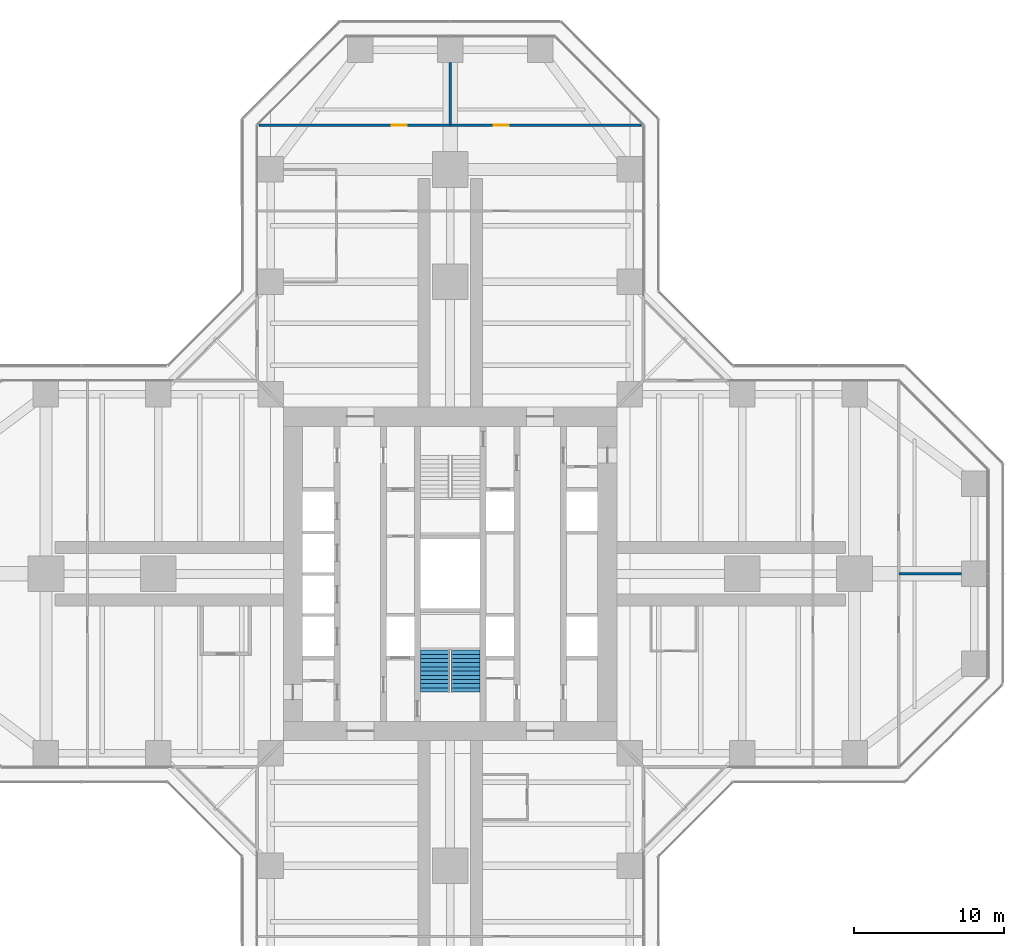
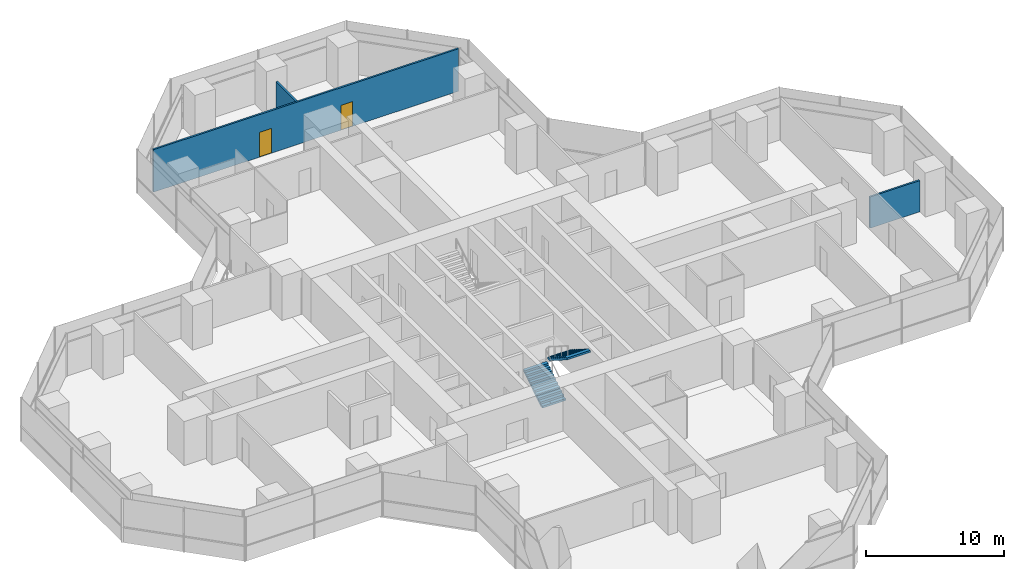
# One storey, part 20 of 22: 3 walls, 2 doors, 2 stair flights, 2 openings, 1 element without a shape of its own.
"""IFC4 building model written with IfcOpenShell, lengths in metres."""

from ifc_helpers import new_model, si_unit, direction, frame, frame_2d, origin, place, context, subcontext, project, spatial, polyline, rectangle, outline, extrude, material, layer, layer_set, type_object, element, fill, aggregate, save


model = new_model("IFC4")

# Units and contexts
model_context = context("Model", 3, precision=1e-05, world=origin(), true_north=direction((0.0, 1.0)))
body_context = subcontext(model_context, "Body", "Model", "MODEL_VIEW")
ifc_project = project(units=[si_unit("LENGTHUNIT", "METRE"), si_unit("AREAUNIT", "SQUARE_METRE"), si_unit("VOLUMEUNIT", "CUBIC_METRE"), si_unit("PLANEANGLEUNIT", "RADIAN"), si_unit("MASSUNIT", "GRAM", prefix="KILO")], contexts=[model_context])

# Site, building, storey
site_placement = place(None, origin())
site = spatial("IfcSite", under=ifc_project, at=site_placement, CompositionType="ELEMENT")
building_placement = place(site_placement, origin())
building = spatial("IfcBuilding", under=site, at=building_placement, Name="Mizan Broadcast Tower", CompositionType="ELEMENT")
storey_placement = place(building_placement, frame((0.0, 0.0, 102.0)))
storey = spatial("IfcBuildingStorey", under=building, at=storey_placement, Name="L22", CompositionType="ELEMENT", Elevation=102.0)

# Wall
ifc_material_1 = material(Name="Gypsum board on steel studs", Category="steel")
ifc_layer = layer(ifc_material_1, 0.14990234375)
ifc_layer_set = layer_set([ifc_layer], Name="Gypsum board on steel studs")
wall_type = type_object("IfcWallType", Name="PARTITION 150", PredefinedType="PARTITIONING", material=ifc_layer_set)
wall_1_placement = place(storey_placement, frame((29.958984375, 0.0, 0.0), z_axis=(0.0, 0.0, 1.0), x_axis=(1.0, 0.0, 0.0)))
element("IfcWall", 1, at=wall_1_placement, inside=storey, type_object=wall_type, Name="Partition PT/EES", PredefinedType="PARTITIONING", context=body_context, shape_type="SweptSolid", body=[
    extrude(rectangle(XDim=4.19091796875, YDim=0.14990234375, at=frame_2d((2.095458984375, 0.0))), origin(), (0.0, 0.0, 1.0), 2.77001953125),
])

# Wall, openings, doors
wall_2_placement = place(storey_placement, frame((12.786376953125, 29.958984375, 0.0), z_axis=(0.0, 0.0, 1.0), x_axis=(-1.0, 0.0, 0.0)))
wall_2 = element("IfcWall", 2, at=wall_2_placement, inside=storey, type_object=wall_type, Name="Partition PT/NX2", PredefinedType="PARTITIONING", context=body_context, shape_type="SweptSolid", body=[
    extrude(rectangle(XDim=25.57275390625, YDim=0.14990234375, at=frame_2d((12.786376953125, 0.0))), origin(), (0.0, 0.0, 1.0), 3.77001953125),
])
opening_1_placement = place(wall_2_placement, frame((15.6865234375, 0.0, 0.0)))
opening_1 = element("IfcOpeningElement", 3, at=opening_1_placement, cuts=wall_2, Name="Opening D10", PredefinedType="OPENING", context=body_context, shape_type="SweptSolid", body=[
    extrude(rectangle(XDim=1.0, YDim=2.199951171875, at=frame_2d((0.5, 1.10009765625))), frame((0.0, 0.0849609375, 0.0), z_axis=(0.0, -1.0, 0.0), x_axis=(1.0, 0.0, 0.0)), (0.0, 0.0, 1.0), 0.169921875),
])
opening_2_placement = place(wall_2_placement, frame((8.886474609375, 0.0, 0.0)))
opening_2 = element("IfcOpeningElement", 4, at=opening_2_placement, cuts=wall_2, Name="Opening D10", PredefinedType="OPENING", context=body_context, shape_type="SweptSolid", body=[
    extrude(rectangle(XDim=1.0, YDim=2.199951171875, at=frame_2d((0.5, 1.10009765625))), frame((0.0, 0.0849609375, 0.0), z_axis=(0.0, -1.0, 0.0), x_axis=(1.0, 0.0, 0.0)), (0.0, 0.0, 1.0), 0.169921875),
])
ifc_material_2 = material(Name="Timber door leaf in aluminium frame", Category="wood")
door_type = type_object("IfcDoorType", Name="ROOM DOOR 1000", OperationType="SINGLE_SWING_LEFT", PredefinedType="DOOR", material=ifc_material_2)
door_1_placement = place(opening_1_placement, origin())
door_1 = element("IfcDoor", 5, at=door_1_placement, inside=storey, type_object=door_type, Name="Open office door", OperationType="SINGLE_SWING_RIGHT", OverallHeight=2.199951171875, OverallWidth=1.0, PredefinedType="DOOR", context=body_context, shape_type="SweptSolid", body=[
    extrude(rectangle(XDim=1.0, YDim=2.199951171875, at=frame_2d((0.5, 1.10009765625))), frame((0.0, 0.02490234375, 0.0), z_axis=(0.0, -1.0, 0.0), x_axis=(1.0, 0.0, 0.0)), (0.0, 0.0, 1.0), 0.050048828125),
])
fill(opening_1, door_1)
door_2_placement = place(opening_2_placement, origin())
door_2 = element("IfcDoor", 6, at=door_2_placement, inside=storey, type_object=door_type, Name="Open office door", OperationType="SINGLE_SWING_LEFT", OverallHeight=2.199951171875, OverallWidth=1.0, PredefinedType="DOOR", context=body_context, shape_type="SweptSolid", body=[
    extrude(rectangle(XDim=1.0, YDim=2.199951171875, at=frame_2d((0.5, 1.10009765625))), frame((0.0, 0.02490234375, 0.0), z_axis=(0.0, -1.0, 0.0), x_axis=(1.0, 0.0, 0.0)), (0.0, 0.0, 1.0), 0.050048828125),
])
fill(opening_2, door_2)

# Wall
wall_3_placement = place(storey_placement, frame((0.0, 29.958984375, 0.0), z_axis=(0.0, 0.0, 1.0), x_axis=(0.0, 1.0, 0.0)))
element("IfcWall", 7, at=wall_3_placement, inside=storey, type_object=wall_type, Name="Partition PT/NES", PredefinedType="PARTITIONING", context=body_context, shape_type="SweptSolid", body=[
    extrude(rectangle(XDim=4.19091796875, YDim=0.14990234375, at=frame_2d((2.095458984375, 0.0))), origin(), (0.0, 0.0, 1.0), 2.77001953125),
])

# Stair, stair flights
ifc_material_3 = material(Name="Concrete C40/50", Category="concrete")
stair_type = type_object("IfcStairType", Name="EXIT STAIR", PredefinedType="HALF_TURN_STAIR", material=ifc_material_3)
stair_placement = place(storey_placement, origin())
stair = element("IfcStair", 8, at=stair_placement, inside=storey, type_object=stair_type, Name="Stair A L22", PredefinedType="HALF_TURN_STAIR")
ifc_material_4 = material(Name="Concrete C40/50", Category="concrete")
stair_flight_type = type_object("IfcStairFlightType", Name="EXIT STAIR FLIGHT", PredefinedType="STRAIGHT", material=ifc_material_4)
stair_flight_1_placement = place(storey_placement, frame((-1.02490234375, -7.89990234375, 0.0), z_axis=(0.0, 0.0, 1.0), x_axis=(0.0, 1.0, 0.0)))
stair_flight_1 = element("IfcStairFlight", 9, at=stair_flight_1_placement, type_object=stair_flight_type, Name="A flight 1", NumberOfRisers=11, NumberOfTreads=10, PredefinedType="STRAIGHT", RiserHeight=0.177272727, TreadLength=0.28, context=body_context, shape_type="SweptSolid", body=[
    extrude(outline(polyline([(0.0, 0.0), (0.0, 0.17724609375), (0.280029296875, 0.17724609375), (0.280029296875, 0.3544921875), (0.56005859375, 0.3544921875), (0.56005859375, 0.53173828125), (0.840087890625, 0.53173828125), (0.840087890625, 0.708984375), (1.1201171875, 0.708984375), (1.1201171875, 0.886474609375), (1.39990234375, 0.886474609375), (1.39990234375, 1.063720703125), (1.679931640625, 1.063720703125), (1.679931640625, 1.240966796875), (1.9599609375, 1.240966796875), (1.9599609375, 1.418212890625), (2.239990234375, 1.418212890625), (2.239990234375, 1.595458984375), (2.52001953125, 1.595458984375), (2.52001953125, 1.772705078125), (2.800048828125, 1.772705078125), (2.800048828125, 1.949951171875), (2.800048828125, 1.59521484375), (0.2802734375, 0.0), (0.0, 0.0)])), frame((0.0, 0.97509765625, 0.0), z_axis=(0.0, -1.0, 0.0), x_axis=(1.0, 0.0, 0.0)), (0.0, 0.0, 1.0), 0.4873046875),
    extrude(outline(polyline([(0.0, 0.0), (0.0, 0.17724609375), (0.280029296875, 0.17724609375), (0.280029296875, 0.3544921875), (0.56005859375, 0.3544921875), (0.56005859375, 0.53173828125), (0.840087890625, 0.53173828125), (0.840087890625, 0.708984375), (1.1201171875, 0.708984375), (1.1201171875, 0.886474609375), (1.39990234375, 0.886474609375), (1.39990234375, 1.063720703125), (1.679931640625, 1.063720703125), (1.679931640625, 1.240966796875), (1.9599609375, 1.240966796875), (1.9599609375, 1.418212890625), (2.239990234375, 1.418212890625), (2.239990234375, 1.595458984375), (2.52001953125, 1.595458984375), (2.52001953125, 1.772705078125), (2.800048828125, 1.772705078125), (2.800048828125, 1.949951171875), (2.800048828125, 1.59521484375), (0.2802734375, 0.0), (0.0, 0.0)])), frame((0.0, 0.4873046875, 0.0), z_axis=(0.0, -1.0, 0.0), x_axis=(1.0, 0.0, 0.0)), (0.0, 0.0, 1.0), 0.2431640625),
    extrude(outline(polyline([(0.0, 0.0), (0.0, 0.17724609375), (0.280029296875, 0.17724609375), (0.280029296875, 0.3544921875), (0.56005859375, 0.3544921875), (0.56005859375, 0.53173828125), (0.840087890625, 0.53173828125), (0.840087890625, 0.708984375), (1.1201171875, 0.708984375), (1.1201171875, 0.886474609375), (1.39990234375, 0.886474609375), (1.39990234375, 1.063720703125), (1.679931640625, 1.063720703125), (1.679931640625, 1.240966796875), (1.9599609375, 1.240966796875), (1.9599609375, 1.418212890625), (2.239990234375, 1.418212890625), (2.239990234375, 1.595458984375), (2.52001953125, 1.595458984375), (2.52001953125, 1.772705078125), (2.800048828125, 1.772705078125), (2.800048828125, 1.949951171875), (2.800048828125, 1.59521484375), (0.2802734375, 0.0), (0.0, 0.0)])), frame((0.0, 0.24365234375, 0.0), z_axis=(0.0, -1.0, 0.0), x_axis=(1.0, 0.0, 0.0)), (0.0, 0.0, 1.0), 0.121337890625),
    extrude(outline(polyline([(0.0, 0.0), (0.0, 0.17724609375), (0.280029296875, 0.17724609375), (0.280029296875, 0.3544921875), (0.56005859375, 0.3544921875), (0.56005859375, 0.53173828125), (0.840087890625, 0.53173828125), (0.840087890625, 0.708984375), (1.1201171875, 0.708984375), (1.1201171875, 0.886474609375), (1.39990234375, 0.886474609375), (1.39990234375, 1.063720703125), (1.679931640625, 1.063720703125), (1.679931640625, 1.240966796875), (1.9599609375, 1.240966796875), (1.9599609375, 1.418212890625), (2.239990234375, 1.418212890625), (2.239990234375, 1.595458984375), (2.52001953125, 1.595458984375), (2.52001953125, 1.772705078125), (2.800048828125, 1.772705078125), (2.800048828125, 1.949951171875), (2.800048828125, 1.59521484375), (0.2802734375, 0.0), (0.0, 0.0)])), frame((0.0, 0.121826171875, 0.0), z_axis=(0.0, -1.0, 0.0), x_axis=(1.0, 0.0, 0.0)), (0.0, 0.0, 1.0), 0.060546875),
    extrude(outline(polyline([(0.0, 0.0), (0.0, 0.17724609375), (0.280029296875, 0.17724609375), (0.280029296875, 0.3544921875), (0.56005859375, 0.3544921875), (0.56005859375, 0.53173828125), (0.840087890625, 0.53173828125), (0.840087890625, 0.708984375), (1.1201171875, 0.708984375), (1.1201171875, 0.886474609375), (1.39990234375, 0.886474609375), (1.39990234375, 1.063720703125), (1.679931640625, 1.063720703125), (1.679931640625, 1.240966796875), (1.9599609375, 1.240966796875), (1.9599609375, 1.418212890625), (2.239990234375, 1.418212890625), (2.239990234375, 1.595458984375), (2.52001953125, 1.595458984375), (2.52001953125, 1.772705078125), (2.800048828125, 1.772705078125), (2.800048828125, 1.949951171875), (2.800048828125, 1.59521484375), (0.2802734375, 0.0), (0.0, 0.0)])), frame((0.0, 0.060791015625, 0.0), z_axis=(0.0, -1.0, 0.0), x_axis=(1.0, 0.0, 0.0)), (0.0, 0.0, 1.0), 0.030029296875),
    extrude(outline(polyline([(0.0, 0.0), (0.0, 0.17724609375), (0.280029296875, 0.17724609375), (0.280029296875, 0.3544921875), (0.56005859375, 0.3544921875), (0.56005859375, 0.53173828125), (0.840087890625, 0.53173828125), (0.840087890625, 0.708984375), (1.1201171875, 0.708984375), (1.1201171875, 0.886474609375), (1.39990234375, 0.886474609375), (1.39990234375, 1.063720703125), (1.679931640625, 1.063720703125), (1.679931640625, 1.240966796875), (1.9599609375, 1.240966796875), (1.9599609375, 1.418212890625), (2.239990234375, 1.418212890625), (2.239990234375, 1.595458984375), (2.52001953125, 1.595458984375), (2.52001953125, 1.772705078125), (2.800048828125, 1.772705078125), (2.800048828125, 1.949951171875), (2.800048828125, 1.59521484375), (0.2802734375, 0.0), (0.0, 0.0)])), frame((0.0, 0.0302734375, 0.0), z_axis=(0.0, -1.0, 0.0), x_axis=(1.0, 0.0, 0.0)), (0.0, 0.0, 1.0), 0.060302734375),
    extrude(outline(polyline([(0.0, 0.0), (0.0, 0.17724609375), (0.280029296875, 0.17724609375), (0.280029296875, 0.3544921875), (0.56005859375, 0.3544921875), (0.56005859375, 0.53173828125), (0.840087890625, 0.53173828125), (0.840087890625, 0.708984375), (1.1201171875, 0.708984375), (1.1201171875, 0.886474609375), (1.39990234375, 0.886474609375), (1.39990234375, 1.063720703125), (1.679931640625, 1.063720703125), (1.679931640625, 1.240966796875), (1.9599609375, 1.240966796875), (1.9599609375, 1.418212890625), (2.239990234375, 1.418212890625), (2.239990234375, 1.595458984375), (2.52001953125, 1.595458984375), (2.52001953125, 1.772705078125), (2.800048828125, 1.772705078125), (2.800048828125, 1.949951171875), (2.800048828125, 1.59521484375), (0.2802734375, 0.0), (0.0, 0.0)])), frame((0.0, -0.030517578125, 0.0), z_axis=(0.0, -1.0, 0.0), x_axis=(1.0, 0.0, 0.0)), (0.0, 0.0, 1.0), 0.030029296875),
    extrude(outline(polyline([(0.0, 0.0), (0.0, 0.17724609375), (0.280029296875, 0.17724609375), (0.280029296875, 0.3544921875), (0.56005859375, 0.3544921875), (0.56005859375, 0.53173828125), (0.840087890625, 0.53173828125), (0.840087890625, 0.708984375), (1.1201171875, 0.708984375), (1.1201171875, 0.886474609375), (1.39990234375, 0.886474609375), (1.39990234375, 1.063720703125), (1.679931640625, 1.063720703125), (1.679931640625, 1.240966796875), (1.9599609375, 1.240966796875), (1.9599609375, 1.418212890625), (2.239990234375, 1.418212890625), (2.239990234375, 1.595458984375), (2.52001953125, 1.595458984375), (2.52001953125, 1.772705078125), (2.800048828125, 1.772705078125), (2.800048828125, 1.949951171875), (2.800048828125, 1.59521484375), (0.2802734375, 0.0), (0.0, 0.0)])), frame((0.0, -0.06103515625, 0.0), z_axis=(0.0, -1.0, 0.0), x_axis=(1.0, 0.0, 0.0)), (0.0, 0.0, 1.0), 0.060546875),
    extrude(outline(polyline([(0.0, 0.0), (0.0, 0.17724609375), (0.280029296875, 0.17724609375), (0.280029296875, 0.3544921875), (0.56005859375, 0.3544921875), (0.56005859375, 0.53173828125), (0.840087890625, 0.53173828125), (0.840087890625, 0.708984375), (1.1201171875, 0.708984375), (1.1201171875, 0.886474609375), (1.39990234375, 0.886474609375), (1.39990234375, 1.063720703125), (1.679931640625, 1.063720703125), (1.679931640625, 1.240966796875), (1.9599609375, 1.240966796875), (1.9599609375, 1.418212890625), (2.239990234375, 1.418212890625), (2.239990234375, 1.595458984375), (2.52001953125, 1.595458984375), (2.52001953125, 1.772705078125), (2.800048828125, 1.772705078125), (2.800048828125, 1.949951171875), (2.800048828125, 1.59521484375), (0.2802734375, 0.0), (0.0, 0.0)])), frame((0.0, -0.1220703125, 0.0), z_axis=(0.0, -1.0, 0.0), x_axis=(1.0, 0.0, 0.0)), (0.0, 0.0, 1.0), 0.121337890625),
    extrude(outline(polyline([(0.0, 0.0), (0.0, 0.17724609375), (0.280029296875, 0.17724609375), (0.280029296875, 0.3544921875), (0.56005859375, 0.3544921875), (0.56005859375, 0.53173828125), (0.840087890625, 0.53173828125), (0.840087890625, 0.708984375), (1.1201171875, 0.708984375), (1.1201171875, 0.886474609375), (1.39990234375, 0.886474609375), (1.39990234375, 1.063720703125), (1.679931640625, 1.063720703125), (1.679931640625, 1.240966796875), (1.9599609375, 1.240966796875), (1.9599609375, 1.418212890625), (2.239990234375, 1.418212890625), (2.239990234375, 1.595458984375), (2.52001953125, 1.595458984375), (2.52001953125, 1.772705078125), (2.800048828125, 1.772705078125), (2.800048828125, 1.949951171875), (2.800048828125, 1.59521484375), (0.2802734375, 0.0), (0.0, 0.0)])), frame((0.0, -0.243896484375, 0.0), z_axis=(0.0, -1.0, 0.0), x_axis=(1.0, 0.0, 0.0)), (0.0, 0.0, 1.0), 0.2431640625),
    extrude(outline(polyline([(0.0, 0.0), (0.0, 0.17724609375), (0.280029296875, 0.17724609375), (0.280029296875, 0.3544921875), (0.56005859375, 0.3544921875), (0.56005859375, 0.53173828125), (0.840087890625, 0.53173828125), (0.840087890625, 0.708984375), (1.1201171875, 0.708984375), (1.1201171875, 0.886474609375), (1.39990234375, 0.886474609375), (1.39990234375, 1.063720703125), (1.679931640625, 1.063720703125), (1.679931640625, 1.240966796875), (1.9599609375, 1.240966796875), (1.9599609375, 1.418212890625), (2.239990234375, 1.418212890625), (2.239990234375, 1.595458984375), (2.52001953125, 1.595458984375), (2.52001953125, 1.772705078125), (2.800048828125, 1.772705078125), (2.800048828125, 1.949951171875), (2.800048828125, 1.59521484375), (0.2802734375, 0.0), (0.0, 0.0)])), frame((0.0, -0.487548828125, 0.0), z_axis=(0.0, -1.0, 0.0), x_axis=(1.0, 0.0, 0.0)), (0.0, 0.0, 1.0), 0.4873046875),
])
stair_flight_2_placement = place(storey_placement, frame((1.02490234375, -5.10009765625, 1.949951171875), z_axis=(0.0, 0.0, 1.0), x_axis=(0.0, -1.0, 0.0)))
stair_flight_2 = element("IfcStairFlight", 10, at=stair_flight_2_placement, type_object=stair_flight_type, Name="A flight 2", NumberOfRisers=11, NumberOfTreads=10, PredefinedType="STRAIGHT", RiserHeight=0.177272727, TreadLength=0.28, context=body_context, shape_type="SweptSolid", body=[
    extrude(outline(polyline([(0.0, 0.0), (0.0, 0.17724609375), (0.280029296875, 0.17724609375), (0.280029296875, 0.3544921875), (0.56005859375, 0.3544921875), (0.56005859375, 0.53173828125), (0.840087890625, 0.53173828125), (0.840087890625, 0.708984375), (1.1201171875, 0.708984375), (1.1201171875, 0.886474609375), (1.39990234375, 0.886474609375), (1.39990234375, 1.063720703125), (1.679931640625, 1.063720703125), (1.679931640625, 1.240966796875), (1.9599609375, 1.240966796875), (1.9599609375, 1.418212890625), (2.239990234375, 1.418212890625), (2.239990234375, 1.595458984375), (2.52001953125, 1.595458984375), (2.52001953125, 1.772705078125), (2.800048828125, 1.772705078125), (2.800048828125, 1.949951171875), (2.800048828125, 1.59521484375), (0.2802734375, 0.0), (0.0, 0.0)])), frame((0.0, 0.97509765625, 0.0), z_axis=(0.0, -1.0, 0.0), x_axis=(1.0, 0.0, 0.0)), (0.0, 0.0, 1.0), 0.4873046875),
    extrude(outline(polyline([(0.0, 0.0), (0.0, 0.17724609375), (0.280029296875, 0.17724609375), (0.280029296875, 0.3544921875), (0.56005859375, 0.3544921875), (0.56005859375, 0.53173828125), (0.840087890625, 0.53173828125), (0.840087890625, 0.708984375), (1.1201171875, 0.708984375), (1.1201171875, 0.886474609375), (1.39990234375, 0.886474609375), (1.39990234375, 1.063720703125), (1.679931640625, 1.063720703125), (1.679931640625, 1.240966796875), (1.9599609375, 1.240966796875), (1.9599609375, 1.418212890625), (2.239990234375, 1.418212890625), (2.239990234375, 1.595458984375), (2.52001953125, 1.595458984375), (2.52001953125, 1.772705078125), (2.800048828125, 1.772705078125), (2.800048828125, 1.949951171875), (2.800048828125, 1.59521484375), (0.2802734375, 0.0), (0.0, 0.0)])), frame((0.0, 0.4873046875, 0.0), z_axis=(0.0, -1.0, 0.0), x_axis=(1.0, 0.0, 0.0)), (0.0, 0.0, 1.0), 0.2431640625),
    extrude(outline(polyline([(0.0, 0.0), (0.0, 0.17724609375), (0.280029296875, 0.17724609375), (0.280029296875, 0.3544921875), (0.56005859375, 0.3544921875), (0.56005859375, 0.53173828125), (0.840087890625, 0.53173828125), (0.840087890625, 0.708984375), (1.1201171875, 0.708984375), (1.1201171875, 0.886474609375), (1.39990234375, 0.886474609375), (1.39990234375, 1.063720703125), (1.679931640625, 1.063720703125), (1.679931640625, 1.240966796875), (1.9599609375, 1.240966796875), (1.9599609375, 1.418212890625), (2.239990234375, 1.418212890625), (2.239990234375, 1.595458984375), (2.52001953125, 1.595458984375), (2.52001953125, 1.772705078125), (2.800048828125, 1.772705078125), (2.800048828125, 1.949951171875), (2.800048828125, 1.59521484375), (0.2802734375, 0.0), (0.0, 0.0)])), frame((0.0, 0.24365234375, 0.0), z_axis=(0.0, -1.0, 0.0), x_axis=(1.0, 0.0, 0.0)), (0.0, 0.0, 1.0), 0.121337890625),
    extrude(outline(polyline([(0.0, 0.0), (0.0, 0.17724609375), (0.280029296875, 0.17724609375), (0.280029296875, 0.3544921875), (0.56005859375, 0.3544921875), (0.56005859375, 0.53173828125), (0.840087890625, 0.53173828125), (0.840087890625, 0.708984375), (1.1201171875, 0.708984375), (1.1201171875, 0.886474609375), (1.39990234375, 0.886474609375), (1.39990234375, 1.063720703125), (1.679931640625, 1.063720703125), (1.679931640625, 1.240966796875), (1.9599609375, 1.240966796875), (1.9599609375, 1.418212890625), (2.239990234375, 1.418212890625), (2.239990234375, 1.595458984375), (2.52001953125, 1.595458984375), (2.52001953125, 1.772705078125), (2.800048828125, 1.772705078125), (2.800048828125, 1.949951171875), (2.800048828125, 1.59521484375), (0.2802734375, 0.0), (0.0, 0.0)])), frame((0.0, 0.121826171875, 0.0), z_axis=(0.0, -1.0, 0.0), x_axis=(1.0, 0.0, 0.0)), (0.0, 0.0, 1.0), 0.060546875),
    extrude(outline(polyline([(0.0, 0.0), (0.0, 0.17724609375), (0.280029296875, 0.17724609375), (0.280029296875, 0.3544921875), (0.56005859375, 0.3544921875), (0.56005859375, 0.53173828125), (0.840087890625, 0.53173828125), (0.840087890625, 0.708984375), (1.1201171875, 0.708984375), (1.1201171875, 0.886474609375), (1.39990234375, 0.886474609375), (1.39990234375, 1.063720703125), (1.679931640625, 1.063720703125), (1.679931640625, 1.240966796875), (1.9599609375, 1.240966796875), (1.9599609375, 1.418212890625), (2.239990234375, 1.418212890625), (2.239990234375, 1.595458984375), (2.52001953125, 1.595458984375), (2.52001953125, 1.772705078125), (2.800048828125, 1.772705078125), (2.800048828125, 1.949951171875), (2.800048828125, 1.59521484375), (0.2802734375, 0.0), (0.0, 0.0)])), frame((0.0, 0.060791015625, 0.0), z_axis=(0.0, -1.0, 0.0), x_axis=(1.0, 0.0, 0.0)), (0.0, 0.0, 1.0), 0.030029296875),
    extrude(outline(polyline([(0.0, 0.0), (0.0, 0.17724609375), (0.280029296875, 0.17724609375), (0.280029296875, 0.3544921875), (0.56005859375, 0.3544921875), (0.56005859375, 0.53173828125), (0.840087890625, 0.53173828125), (0.840087890625, 0.708984375), (1.1201171875, 0.708984375), (1.1201171875, 0.886474609375), (1.39990234375, 0.886474609375), (1.39990234375, 1.063720703125), (1.679931640625, 1.063720703125), (1.679931640625, 1.240966796875), (1.9599609375, 1.240966796875), (1.9599609375, 1.418212890625), (2.239990234375, 1.418212890625), (2.239990234375, 1.595458984375), (2.52001953125, 1.595458984375), (2.52001953125, 1.772705078125), (2.800048828125, 1.772705078125), (2.800048828125, 1.949951171875), (2.800048828125, 1.59521484375), (0.2802734375, 0.0), (0.0, 0.0)])), frame((0.0, 0.0302734375, 0.0), z_axis=(0.0, -1.0, 0.0), x_axis=(1.0, 0.0, 0.0)), (0.0, 0.0, 1.0), 0.060302734375),
    extrude(outline(polyline([(0.0, 0.0), (0.0, 0.17724609375), (0.280029296875, 0.17724609375), (0.280029296875, 0.3544921875), (0.56005859375, 0.3544921875), (0.56005859375, 0.53173828125), (0.840087890625, 0.53173828125), (0.840087890625, 0.708984375), (1.1201171875, 0.708984375), (1.1201171875, 0.886474609375), (1.39990234375, 0.886474609375), (1.39990234375, 1.063720703125), (1.679931640625, 1.063720703125), (1.679931640625, 1.240966796875), (1.9599609375, 1.240966796875), (1.9599609375, 1.418212890625), (2.239990234375, 1.418212890625), (2.239990234375, 1.595458984375), (2.52001953125, 1.595458984375), (2.52001953125, 1.772705078125), (2.800048828125, 1.772705078125), (2.800048828125, 1.949951171875), (2.800048828125, 1.59521484375), (0.2802734375, 0.0), (0.0, 0.0)])), frame((0.0, -0.030517578125, 0.0), z_axis=(0.0, -1.0, 0.0), x_axis=(1.0, 0.0, 0.0)), (0.0, 0.0, 1.0), 0.030029296875),
    extrude(outline(polyline([(0.0, 0.0), (0.0, 0.17724609375), (0.280029296875, 0.17724609375), (0.280029296875, 0.3544921875), (0.56005859375, 0.3544921875), (0.56005859375, 0.53173828125), (0.840087890625, 0.53173828125), (0.840087890625, 0.708984375), (1.1201171875, 0.708984375), (1.1201171875, 0.886474609375), (1.39990234375, 0.886474609375), (1.39990234375, 1.063720703125), (1.679931640625, 1.063720703125), (1.679931640625, 1.240966796875), (1.9599609375, 1.240966796875), (1.9599609375, 1.418212890625), (2.239990234375, 1.418212890625), (2.239990234375, 1.595458984375), (2.52001953125, 1.595458984375), (2.52001953125, 1.772705078125), (2.800048828125, 1.772705078125), (2.800048828125, 1.949951171875), (2.800048828125, 1.59521484375), (0.2802734375, 0.0), (0.0, 0.0)])), frame((0.0, -0.06103515625, 0.0), z_axis=(0.0, -1.0, 0.0), x_axis=(1.0, 0.0, 0.0)), (0.0, 0.0, 1.0), 0.060546875),
    extrude(outline(polyline([(0.0, 0.0), (0.0, 0.17724609375), (0.280029296875, 0.17724609375), (0.280029296875, 0.3544921875), (0.56005859375, 0.3544921875), (0.56005859375, 0.53173828125), (0.840087890625, 0.53173828125), (0.840087890625, 0.708984375), (1.1201171875, 0.708984375), (1.1201171875, 0.886474609375), (1.39990234375, 0.886474609375), (1.39990234375, 1.063720703125), (1.679931640625, 1.063720703125), (1.679931640625, 1.240966796875), (1.9599609375, 1.240966796875), (1.9599609375, 1.418212890625), (2.239990234375, 1.418212890625), (2.239990234375, 1.595458984375), (2.52001953125, 1.595458984375), (2.52001953125, 1.772705078125), (2.800048828125, 1.772705078125), (2.800048828125, 1.949951171875), (2.800048828125, 1.59521484375), (0.2802734375, 0.0), (0.0, 0.0)])), frame((0.0, -0.1220703125, 0.0), z_axis=(0.0, -1.0, 0.0), x_axis=(1.0, 0.0, 0.0)), (0.0, 0.0, 1.0), 0.121337890625),
    extrude(outline(polyline([(0.0, 0.0), (0.0, 0.17724609375), (0.280029296875, 0.17724609375), (0.280029296875, 0.3544921875), (0.56005859375, 0.3544921875), (0.56005859375, 0.53173828125), (0.840087890625, 0.53173828125), (0.840087890625, 0.708984375), (1.1201171875, 0.708984375), (1.1201171875, 0.886474609375), (1.39990234375, 0.886474609375), (1.39990234375, 1.063720703125), (1.679931640625, 1.063720703125), (1.679931640625, 1.240966796875), (1.9599609375, 1.240966796875), (1.9599609375, 1.418212890625), (2.239990234375, 1.418212890625), (2.239990234375, 1.595458984375), (2.52001953125, 1.595458984375), (2.52001953125, 1.772705078125), (2.800048828125, 1.772705078125), (2.800048828125, 1.949951171875), (2.800048828125, 1.59521484375), (0.2802734375, 0.0), (0.0, 0.0)])), frame((0.0, -0.243896484375, 0.0), z_axis=(0.0, -1.0, 0.0), x_axis=(1.0, 0.0, 0.0)), (0.0, 0.0, 1.0), 0.2431640625),
    extrude(outline(polyline([(0.0, 0.0), (0.0, 0.17724609375), (0.280029296875, 0.17724609375), (0.280029296875, 0.3544921875), (0.56005859375, 0.3544921875), (0.56005859375, 0.53173828125), (0.840087890625, 0.53173828125), (0.840087890625, 0.708984375), (1.1201171875, 0.708984375), (1.1201171875, 0.886474609375), (1.39990234375, 0.886474609375), (1.39990234375, 1.063720703125), (1.679931640625, 1.063720703125), (1.679931640625, 1.240966796875), (1.9599609375, 1.240966796875), (1.9599609375, 1.418212890625), (2.239990234375, 1.418212890625), (2.239990234375, 1.595458984375), (2.52001953125, 1.595458984375), (2.52001953125, 1.772705078125), (2.800048828125, 1.772705078125), (2.800048828125, 1.949951171875), (2.800048828125, 1.59521484375), (0.2802734375, 0.0), (0.0, 0.0)])), frame((0.0, -0.487548828125, 0.0), z_axis=(0.0, -1.0, 0.0), x_axis=(1.0, 0.0, 0.0)), (0.0, 0.0, 1.0), 0.4873046875),
])
aggregate(stair, [stair_flight_1, stair_flight_2])

save(model, "model.ifc")
